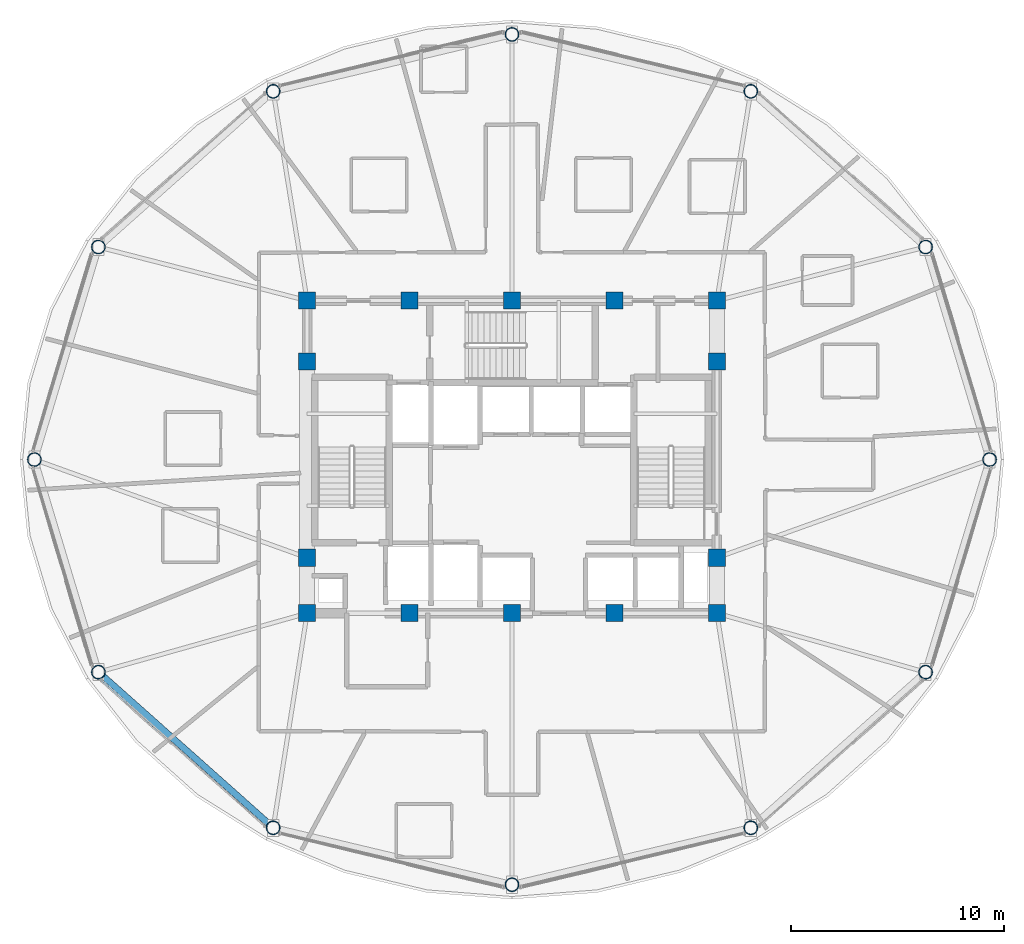
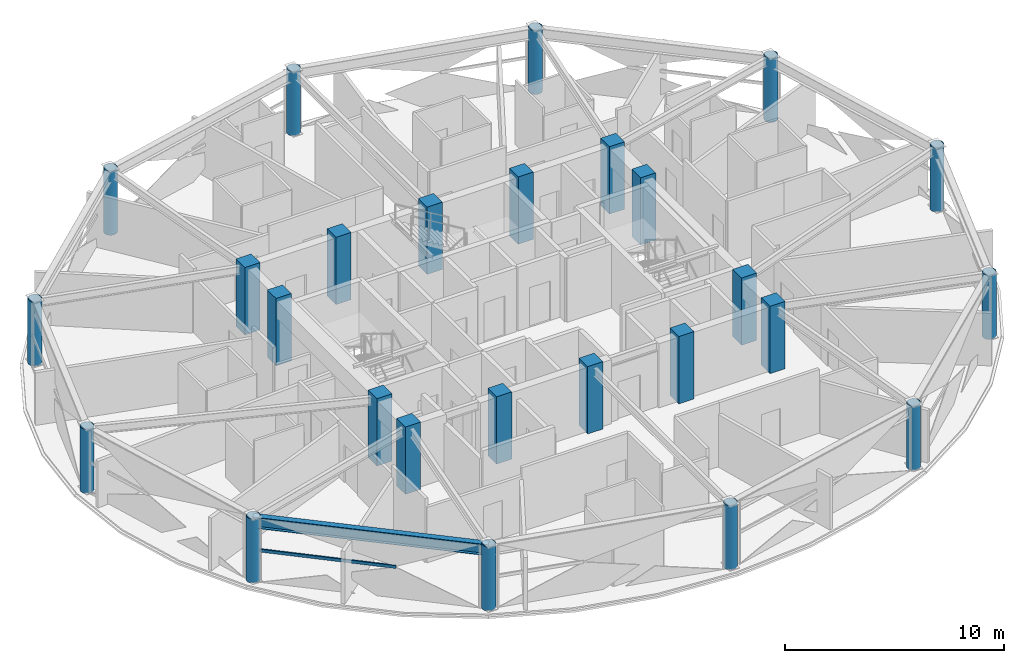
# One storey, part 1 of 30: 26 columns, 1 beam, 1 member, 1 element without a shape of its own.
"""IFC4 building model written with IfcOpenShell, lengths in metres."""

from ifc_helpers import new_model, si_unit, direction, frame, origin, origin_2d, place, context, subcontext, project, spatial, rectangle, hollow_rectangle, hollow_circle, i_section, extrude, material, layer, layer_set, material_profile, profile_set, type_object, element, aggregate, save


model = new_model("IFC4")

# Units and contexts
model_context = context("Model", 3, precision=1e-05, world=origin(), true_north=direction((0.0, 1.0)))
body_context = subcontext(model_context, "Body", "Model", "MODEL_VIEW")
ifc_project = project(units=[si_unit("LENGTHUNIT", "METRE"), si_unit("AREAUNIT", "SQUARE_METRE"), si_unit("VOLUMEUNIT", "CUBIC_METRE"), si_unit("PLANEANGLEUNIT", "RADIAN"), si_unit("MASSUNIT", "GRAM", prefix="KILO")], contexts=[model_context])

# Site, building, storey
site_placement = place(None, origin())
site = spatial("IfcSite", under=ifc_project, at=site_placement, CompositionType="ELEMENT")
building_placement = place(site_placement, origin())
building = spatial("IfcBuilding", under=site, at=building_placement, Name="Vantalir Tower", CompositionType="ELEMENT")
storey_placement = place(building_placement, frame((0.0, 0.0, 201.14990234375)))
storey = spatial("IfcBuildingStorey", under=building, at=storey_placement, Name="L50", CompositionType="ELEMENT", Elevation=201.14990234375)

# Columns
ifc_material_1 = material(Name="Concrete C50/60", Category="concrete")
ifc_material_profile_1 = material_profile(ifc_material_1, rectangle(XDim=0.800048828125, YDim=0.800048828125, at=origin_2d()), Name="Concrete C50/60")
ifc_profile_set_1 = profile_set([ifc_material_profile_1], Name="Concrete C50/60")
column_type_1 = type_object("IfcColumnType", Name="COL-CC-800", PredefinedType="COLUMN", material=ifc_profile_set_1)
for number, where, z_axis, x_axis, name in (
    (1, (21.89990234375, 17.800048828125, 0.0), (0.0, 0.0, 1.0), (1.0, 0.0, 0.0), "L50 Core Column CC01"),
    (2, (26.699951171875, 17.800048828125, 0.0), (0.0, 0.0, 1.0), (1.0, 0.0, 0.0), "L50 Core Column CC02"),
    (3, (31.5, 17.800048828125, 0.0), (0.0, 0.0, 1.0), (1.0, 0.0, 0.0), "L50 Core Column CC03"),
    (4, (36.300048828125, 17.800048828125, 0.0), (0.0, 0.0, 1.0), (1.0, 0.0, 0.0), "L50 Core Column CC04"),
    (5, (41.10009765625, 17.800048828125, 0.0), (0.0, 0.0, 1.0), (1.0, 0.0, 0.0), "L50 Core Column CC05"),
    (6, (21.89990234375, 20.39990234375, 0.0), (0.0, 0.0, 1.0), (1.0, 0.0, 0.0), "L50 Core Column CC06"),
    (7, (21.89990234375, 29.60009765625, 0.0), (0.0, 0.0, 1.0), (1.0, 0.0, 0.0), "L50 Core Column CC07"),
    (8, (41.10009765625, 20.39990234375, 0.0), (0.0, 0.0, 1.0), (1.0, 0.0, 0.0), "L50 Core Column CC08"),
    (9, (41.10009765625, 29.60009765625, 0.0), (0.0, 0.0, 1.0), (1.0, 0.0, 0.0), "L50 Core Column CC09"),
    (10, (21.89990234375, 32.449951171875, 0.0), (0.0, 0.0, 1.0), (1.0, 0.0, 0.0), "L50 Core Column CC10"),
    (11, (26.699951171875, 32.449951171875, 0.0), (0.0, 0.0, 1.0), (1.0, 0.0, 0.0), "L50 Core Column CC11"),
    (12, (31.5, 32.449951171875, 0.0), (0.0, 0.0, 1.0), (1.0, 0.0, 0.0), "L50 Core Column CC12"),
    (13, (36.300048828125, 32.449951171875, 0.0), (0.0, 0.0, 1.0), (1.0, 0.0, 0.0), "L50 Core Column CC13"),
    (14, (41.10009765625, 32.449951171875, 0.0), (0.0, 0.0, 1.0), (1.0, 0.0, 0.0), "L50 Core Column CC14"),
):
    element("IfcColumn", number, at=place(storey_placement, frame(where, z_axis=z_axis, x_axis=x_axis)), inside=storey, type_object=column_type_1, Name=name, PredefinedType="COLUMN", context=body_context, shape_type="SweptSolid", body=[
        extrude(rectangle(XDim=0.800048828125, YDim=0.800048828125, at=origin_2d()), origin(), (0.0, 0.0, 1.0), 3.75),
    ])
ifc_material_2 = material(Name="Steel S460", Category="steel")
ifc_material_profile_2 = material_profile(ifc_material_2, hollow_circle(Radius=0.324951171875, WallThickness=0.030029296875, at=origin_2d()), Name="Steel S460")
ifc_profile_set_2 = profile_set([ifc_material_profile_2], Name="Steel S460")
column_type_2 = type_object("IfcColumnType", Name="COL-RC-650", PredefinedType="COLUMN", material=ifc_profile_set_2)
for number, where, z_axis, x_axis, name in (
    (15, (53.882080078125, 25.0, 0.0), (0.0, 0.0, 1.0), (1.0, 0.0, 0.0), "L50 Perimeter Ring Column RC01"),
    (16, (50.883056640625, 34.9619140625, 0.0), (0.0, 0.0, 1.0), (1.0, 0.0, 0.0), "L50 Perimeter Ring Column RC02"),
    (17, (42.69091796875, 42.256103515625, 0.0), (0.0, 0.0, 1.0), (1.0, 0.0, 0.0), "L50 Perimeter Ring Column RC03"),
    (18, (31.5, 44.925048828125, 0.0), (0.0, 0.0, 1.0), (1.0, 0.0, 0.0), "L50 Perimeter Ring Column RC04"),
    (19, (20.30908203125, 42.256103515625, 0.0), (0.0, 0.0, 1.0), (1.0, 0.0, 0.0), "L50 Perimeter Ring Column RC05"),
    (20, (12.116943359375, 34.9619140625, 0.0), (0.0, 0.0, 1.0), (1.0, 0.0, 0.0), "L50 Perimeter Ring Column RC06"),
    (21, (9.117919921875, 25.0, 0.0), (0.0, 0.0, 1.0), (1.0, 0.0, 0.0), "L50 Perimeter Ring Column RC07"),
    (22, (12.116943359375, 15.037109375, 0.0), (0.0, 0.0, 1.0), (1.0, 0.0, 0.0), "L50 Perimeter Ring Column RC08"),
    (23, (20.30908203125, 7.743896484375, 0.0), (0.0, 0.0, 1.0), (1.0, 0.0, 0.0), "L50 Perimeter Ring Column RC09"),
    (24, (31.5, 5.074951171875, 0.0), (0.0, 0.0, 1.0), (1.0, 0.0, 0.0), "L50 Perimeter Ring Column RC10"),
    (25, (42.69091796875, 7.743896484375, 0.0), (0.0, 0.0, 1.0), (1.0, 0.0, 0.0), "L50 Perimeter Ring Column RC11"),
    (26, (50.883056640625, 15.037109375, 0.0), (0.0, 0.0, 1.0), (1.0, 0.0, 0.0), "L50 Perimeter Ring Column RC12"),
):
    element("IfcColumn", number, at=place(storey_placement, frame(where, z_axis=z_axis, x_axis=x_axis)), inside=storey, type_object=column_type_2, Name=name, PredefinedType="COLUMN", context=body_context, shape_type="SweptSolid", body=[
        extrude(hollow_circle(Radius=0.324951171875, WallThickness=0.030029296875, at=origin_2d()), origin(), (0.0, 0.0, 1.0), 3.570068359375),
    ])

# Beam
ifc_material_profile_3 = material_profile(ifc_material_2, i_section(OverallWidth=0.306884765625, OverallDepth=0.6201171875, WebThickness=0.01416015625, FlangeThickness=0.023681640625, at=origin_2d()), Name="Steel S460")
ifc_profile_set_3 = profile_set([ifc_material_profile_3], Name="Steel S460")
beam_type = type_object("IfcBeamType", Name="BM-RG-610x305", PredefinedType="USERDEFINED", material=ifc_profile_set_3)
beam_placement = place(storey_placement, frame((12.116943359375, 15.037109375, 3.260009765625), z_axis=(0.746896988705, -0.664939762884, 0.0), x_axis=(0.664939762884, 0.746896988705, 0.0)))
element("IfcBeam", 27, at=beam_placement, inside=storey, type_object=beam_type, Name="L50 Circumferential Ring Girder 08", ObjectType="GIRDER", PredefinedType="USERDEFINED", context=body_context, shape_type="SweptSolid", body=[
    extrude(i_section(OverallWidth=0.306884765625, OverallDepth=0.6201171875, WebThickness=0.01416015625, FlangeThickness=0.023681640625, at=origin_2d()), origin(), (0.0, 0.0, 1.0), 10.96826171875),
])

# Curtain wall, member
ifc_material_3 = material(Name="Champagne-silver PVDF aluminium and double-silver Low-E glass", Category="aluminium")
ifc_layer = layer(ifc_material_3, 0.2099609375)
ifc_layer_set = layer_set([ifc_layer], Name="Champagne-silver PVDF aluminium and double-silver Low-E glass")
curtain_wall_type = type_object("IfcCurtainWallType", Name="CW-DIAMOND-Z3", PredefinedType="USERDEFINED", material=ifc_layer_set)
curtain_wall_placement = place(storey_placement, origin())
curtain_wall = element("IfcCurtainWall", 28, at=curtain_wall_placement, inside=storey, type_object=curtain_wall_type, Name="L50 Quilted Pyramid-Diamond Curtain Wall S08", ObjectType="UNITISED CURTAIN WALL", PredefinedType="USERDEFINED")
ifc_material_4 = material(Name="Champagne-silver PVDF aluminium 6063-T6", Category="aluminium")
ifc_material_profile_4 = material_profile(ifc_material_4, hollow_rectangle(XDim=0.074951171875, YDim=0.159912109375, WallThickness=0.00390625, at=origin_2d()), Name="Champagne-silver PVDF aluminium 6063-T6")
ifc_profile_set_4 = profile_set([ifc_material_profile_4], Name="Champagne-silver PVDF aluminium 6063-T6")
member_type = type_object("IfcMemberType", Name="CWT-160x75", PredefinedType="USERDEFINED", material=ifc_profile_set_4)
member_placement = place(storey_placement, frame((12.258056640625, 14.6689453125, 1.78515625), z_axis=(0.744102138307, -0.668065870829, 0.0), x_axis=(0.668065870829, 0.744102138307, 0.0)))
member = element("IfcMember", 29, at=member_placement, type_object=member_type, Name="CW-L50-S08 Pyramid Fold Ridge Transom", ObjectType="TRANSOM", PredefinedType="USERDEFINED", context=body_context, shape_type="SweptSolid", body=[
    extrude(hollow_rectangle(XDim=0.074951171875, YDim=0.159912109375, WallThickness=0.00390625, at=origin_2d()), origin(), (0.0, 0.0, 1.0), 6.35107421875),
])
aggregate(curtain_wall, [member])

save(model, "model.ifc")
